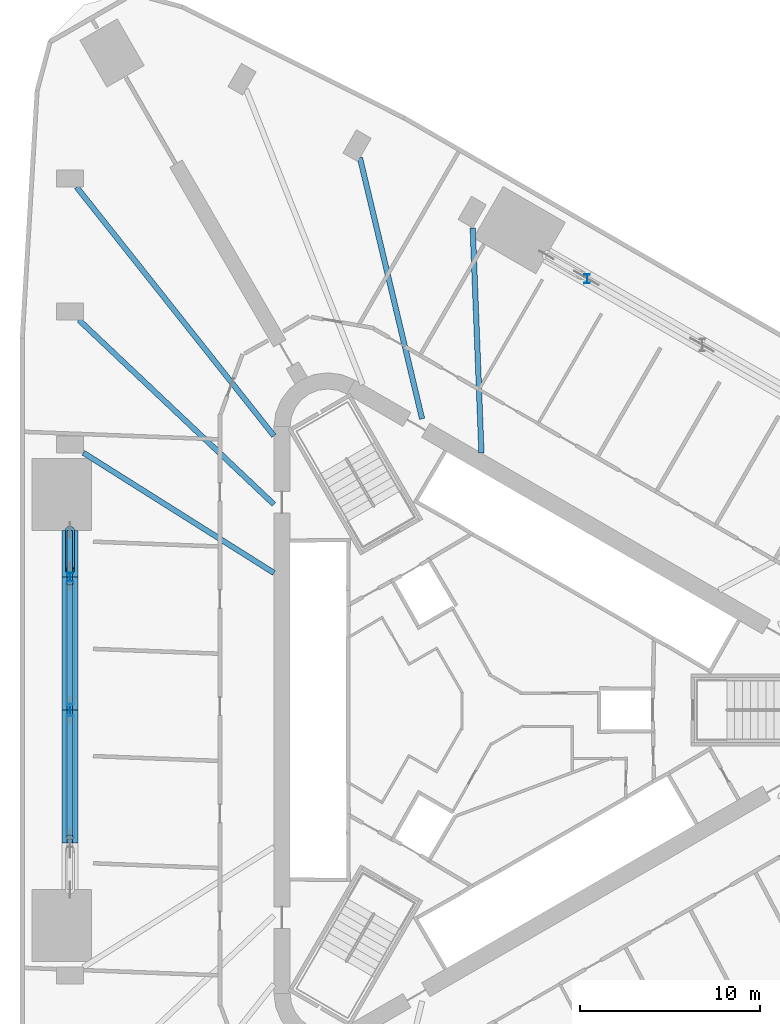
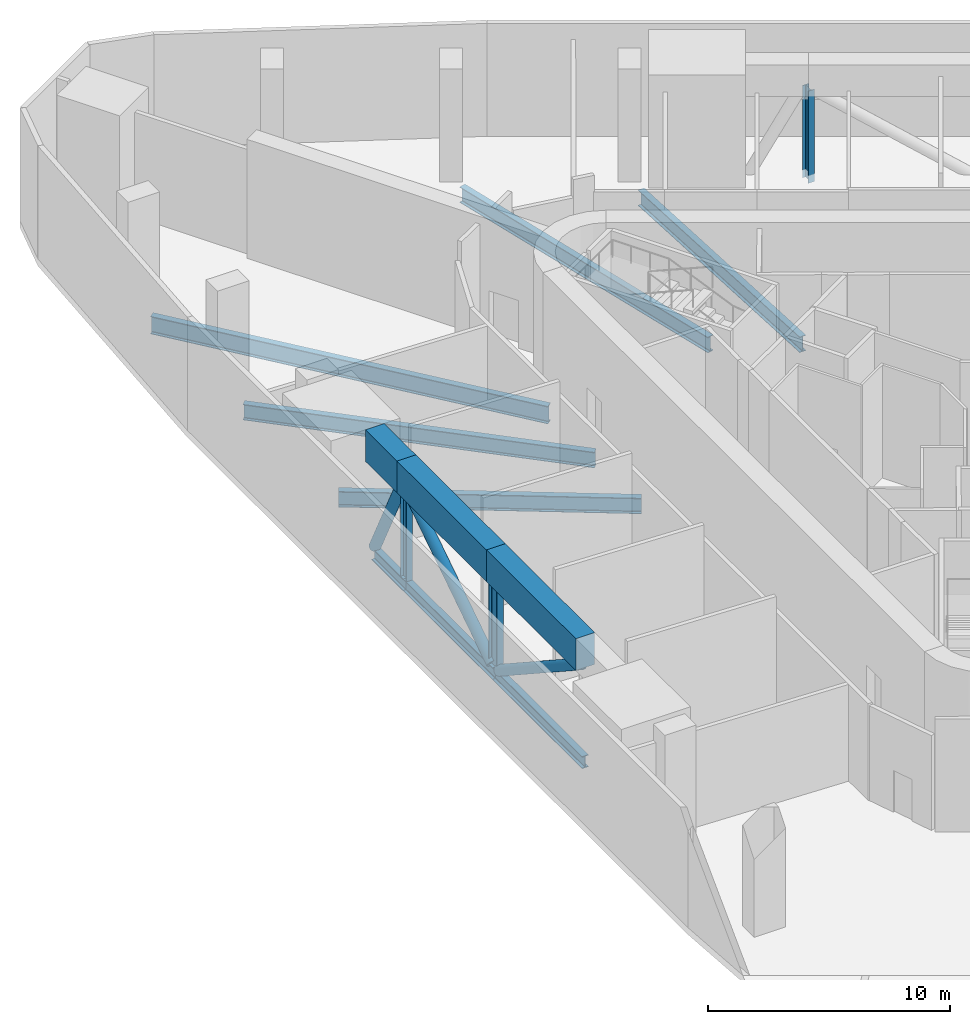
# One storey, part 3 of 14: 11 beams, 6 members.
"""IFC4 building model written with IfcOpenShell, lengths in metres."""

import ifcopenshell
import ifcopenshell.guid

model = None  # the IFC model being written
_history = None  # IfcOwnerHistory: only IFC2X3 demands one
_inside = {}  # id of a spatial element -> (the spatial element, [elements in it])
_under = {}  # id of a project, library or spatial element -> (it, [spatial elements below it])
_declared = {}  # id of a project -> (the project, [libraries it declares])
_typed = {}  # id of a type object -> (the type object, [elements of that type])
_made_of = {}  # id of a material, layer set ... -> (it, [elements and type objects made of it])


def new_model(schema):
    """Start an empty IFC model of exactly this schema.

    Asked for "IFC4X3", IfcOpenShell would pick the latest addendum, in which some entities
    have other attributes; the version numbers below select the first issue.
    IFC2X3 requires an IfcOwnerHistory on every rooted entity: one is made here for all.
    """
    global model, _history
    if schema == "IFC4X3":
        model = ifcopenshell.file(schema_version=(4, 3, 0, 0))
    else:
        model = ifcopenshell.file(schema=schema)
    _inside.clear()
    _under.clear()
    _declared.clear()
    _typed.clear()
    _made_of.clear()
    _history = None
    if model.schema == "IFC2X3":
        org = make("IfcOrganization", Name="unknown")
        user = make(
            "IfcPersonAndOrganization",
            ThePerson=make("IfcPerson", FamilyName="unknown"),
            TheOrganization=org,
        )
        app = make(
            "IfcApplication",
            ApplicationDeveloper=org,
            Version="unknown",
            ApplicationFullName="unknown",
            ApplicationIdentifier="unknown",
        )
        _history = make(
            "IfcOwnerHistory",
            OwningUser=user,
            OwningApplication=app,
            ChangeAction="ADDED",
            CreationDate=0,
        )
    return model


def make(cls, **values):
    """One entity of the class cls with the attributes given. An attribute that is None is left unset."""
    return model.create_entity(
        cls, **{name: value for name, value in values.items() if value is not None}
    )


def rooted(cls, **values):
    """An entity with a GlobalId (a new one), such as an element, a storey or a relation."""
    return make(cls, GlobalId=ifcopenshell.guid.new(), OwnerHistory=_history, **values)


def si_unit(unit_type, name, prefix=None):
    """IfcSIUnit, for example si_unit("LENGTHUNIT", "METRE", prefix="MILLI")."""
    return make("IfcSIUnit", UnitType=unit_type, Prefix=prefix, Name=name)


def assignment(units):
    """IfcUnitAssignment: the units of a project."""
    return None if units is None else make("IfcUnitAssignment", Units=units)


def point(xyz):
    """IfcCartesianPoint."""
    return None if xyz is None else make("IfcCartesianPoint", Coordinates=xyz)


def direction(xyz):
    """IfcDirection."""
    return None if xyz is None else make("IfcDirection", DirectionRatios=xyz)


def frame(location, z_axis=None, x_axis=None):
    """IfcAxis2Placement3D, a coordinate frame: its origin and axes. An axis left out is left unset."""
    return make(
        "IfcAxis2Placement3D",
        Location=point(location),
        Axis=direction(z_axis),
        RefDirection=direction(x_axis),
    )


def frame_2d(location, x_axis=None):
    """IfcAxis2Placement2D, a coordinate frame in the plane: its origin and x axis."""
    return make(
        "IfcAxis2Placement2D", Location=point(location), RefDirection=direction(x_axis)
    )


def origin():
    """The frame at (0, 0, 0) with its axes left unset."""
    return frame((0.0, 0.0, 0.0))


def origin_2d():
    """The frame at (0, 0) in the plane with its x axis left unset."""
    return frame_2d((0.0, 0.0))


def place(relative_to, where):
    """IfcLocalPlacement: puts the frame where relative to a parent placement (None: the world)."""
    return make(
        "IfcLocalPlacement", PlacementRelTo=relative_to, RelativePlacement=where
    )


def context(
    kind, dimensions, precision=None, world=None, true_north=None, identifier=None
):
    """IfcGeometricRepresentationContext, for example the 3D "Model" context."""
    return make(
        "IfcGeometricRepresentationContext",
        ContextIdentifier=identifier,
        ContextType=kind,
        CoordinateSpaceDimension=dimensions,
        Precision=precision,
        WorldCoordinateSystem=world,
        TrueNorth=true_north,
    )


def subcontext(parent, identifier, kind, view, scale=None):
    """IfcGeometricRepresentationSubContext, for example "Body" below "Model"."""
    return make(
        "IfcGeometricRepresentationSubContext",
        ContextIdentifier=identifier,
        ContextType=kind,
        ParentContext=parent,
        TargetScale=scale,
        TargetView=view,
    )


def project(units=None, contexts=None):
    """IfcProject with its units and contexts."""
    return rooted(
        "IfcProject",
        Name="project",
        RepresentationContexts=contexts,
        UnitsInContext=assignment(units),
    )


def spatial(cls, under=None, at=None, **own):
    """A site, building, storey or space (cls), placed at a placement, below another one or the project."""
    s = rooted(cls, ObjectPlacement=at, **own)
    if under is not None:
        _under.setdefault(under.id(), (under, []))[1].append(s)
    return s


def profile(cls, at=None, kind="AREA", **sizes):
    """A parametric profile (cls). Its sizes go by their IFC names, for example OverallWidth=200.0."""
    return make(cls, ProfileType=kind, Position=at, **sizes)


def rectangle(**sizes):
    """IfcRectangleProfileDef."""
    return profile("IfcRectangleProfileDef", **sizes)


def hollow_circle(**sizes):
    """IfcCircleHollowProfileDef."""
    return profile("IfcCircleHollowProfileDef", **sizes)


def i_section(**sizes):
    """IfcIShapeProfileDef."""
    return profile("IfcIShapeProfileDef", **sizes)


def extrude(swept, where, along, depth):
    """IfcExtrudedAreaSolid: the profile swept, set in the frame where, extruded along a direction by depth."""
    return make(
        "IfcExtrudedAreaSolid",
        SweptArea=swept,
        Position=where,
        ExtrudedDirection=direction(along),
        Depth=depth,
    )


def shape(context_of_items, identifier, shape_type, items):
    """IfcShapeRepresentation: the items that make up one representation, for example the "Body"."""
    return make(
        "IfcShapeRepresentation",
        ContextOfItems=context_of_items,
        RepresentationIdentifier=identifier,
        RepresentationType=shape_type,
        Items=items,
    )


def material(Name=None, Category=None):
    """IfcMaterial."""
    return make("IfcMaterial", Name=Name, Category=Category)


def material_profile(
    of_material, cross_section, Name=None, Category=None, Priority=None
):
    """IfcMaterialProfile: a cross section and its material."""
    return make(
        "IfcMaterialProfile",
        Name=Name,
        Material=of_material,
        Profile=cross_section,
        Priority=Priority,
        Category=Category,
    )


def profile_set(profiles, Name=None, composite=None):
    """IfcMaterialProfileSet."""
    return make(
        "IfcMaterialProfileSet",
        Name=Name,
        MaterialProfiles=profiles,
        CompositeProfile=composite,
    )


def made_of(thing, what):
    """Note that an element or type object is made of a material, layer set ...; save() writes the relation."""
    if what is not None:
        _made_of.setdefault(what.id(), (what, []))[1].append(thing)
    return thing


def type_object(cls, material=None, **own):
    """A type object (cls), such as IfcWallType, which elements share."""
    return made_of(rooted(cls, **own), material)


def element(
    cls,
    number,
    at=None,
    inside=None,
    cuts=None,
    type_object=None,
    material=None,
    context=None,
    identifier="Body",
    shape_type=None,
    held_by="IfcProductDefinitionShape",
    body=None,
    shapes=None,
    **own,
):
    """One element of the class cls, such as IfcWall. Its Tag is "e" and its number.

    at: its placement. inside: the storey or other place that contains it. cuts: it is an
    opening in that element (IfcRelVoidsElement). A single representation is given by context,
    identifier, shape_type and body (its items); several are given by shapes. held_by: the class
    of the entity that holds the representations. save() writes the other relations.
    """
    e = rooted(cls, Tag="e%d" % number, ObjectPlacement=at, **own)
    if body is not None:
        shapes = [shape(context, identifier, shape_type, body)]
    if shapes is not None:
        e.Representation = make(held_by, Representations=shapes)
    if inside is not None:
        _inside.setdefault(inside.id(), (inside, []))[1].append(e)
    if cuts is not None:
        rooted(
            "IfcRelVoidsElement", RelatingBuildingElement=cuts, RelatedOpeningElement=e
        )
    if type_object is not None:
        _typed.setdefault(type_object.id(), (type_object, []))[1].append(e)
    return made_of(e, material)


def aggregate(whole, parts):
    """IfcRelAggregates: a whole, such as a stair, and the parts it consists of."""
    return rooted("IfcRelAggregates", RelatingObject=whole, RelatedObjects=parts)


def save(model, path):
    """Write the relations noted so far, then the file.

    IfcRelAggregates (storeys below a building ...), IfcRelContainedInSpatialStructure (elements
    in a storey), IfcRelDefinesByType, IfcRelAssociatesMaterial and IfcRelDeclares: one each for
    every whole, place, type object, material and project.
    """
    for whole, parts in _under.values():
        aggregate(whole, parts)
    for where, things in _inside.values():
        rooted(
            "IfcRelContainedInSpatialStructure",
            RelatedElements=things,
            RelatingStructure=where,
        )
    for kind, things in _typed.values():
        rooted("IfcRelDefinesByType", RelatedObjects=things, RelatingType=kind)
    for what, things in _made_of.values():
        rooted("IfcRelAssociatesMaterial", RelatedObjects=things, RelatingMaterial=what)
    for by, libraries in _declared.values():
        rooted("IfcRelDeclares", RelatingContext=by, RelatedDefinitions=libraries)
    model.write(path)


model = new_model("IFC4")

# Units and contexts
model_context = context("Model", 3, precision=1e-05, world=origin(), true_north=direction((0.0, 1.0)))
body_context = subcontext(model_context, "Body", "Model", "MODEL_VIEW")
ifc_project = project(units=[si_unit("LENGTHUNIT", "METRE"), si_unit("AREAUNIT", "SQUARE_METRE"), si_unit("VOLUMEUNIT", "CUBIC_METRE"), si_unit("PLANEANGLEUNIT", "RADIAN"), si_unit("MASSUNIT", "GRAM", prefix="KILO")], contexts=[model_context])

# Site, building, storey
site_placement = place(None, origin())
site = spatial("IfcSite", under=ifc_project, at=site_placement, CompositionType="ELEMENT")
building_placement = place(site_placement, origin())
building = spatial("IfcBuilding", under=site, at=building_placement, Name="Tanit Gate Tower", CompositionType="ELEMENT")
storey_placement = place(building_placement, frame((0.0, 0.0, 39.5)))
storey = spatial("IfcBuildingStorey", under=building, at=storey_placement, Name="L06", CompositionType="ELEMENT", Elevation=39.5)

# Beams
ifc_material_1 = material(Name="Steel S355", Category="steel")
ifc_material_profile_1 = material_profile(ifc_material_1, i_section(OverallWidth=0.300048828125, OverallDepth=0.7900390625, WebThickness=0.014892578125, FlangeThickness=0.028076171875, FilletRadius=0.030029296875, at=origin_2d()), Name="HEA 800")
ifc_profile_set_1 = profile_set([ifc_material_profile_1], Name="Steel S355")
beam_type_1 = type_object("IfcBeamType", Name="RADIAL GIRDER HEA 800 S355", PredefinedType="BEAM", material=ifc_profile_set_1)
beam_1_placement = place(storey_placement, frame((-1.041259765625, 26.81689453125, -0.7451171875), z_axis=(0.038788513733, -0.99924744243, 0.0), x_axis=(0.99924744243, 0.038788513733, 0.0)))
element("IfcBeam", 1, at=beam_1_placement, inside=storey, type_object=beam_type_1, Name="RADIAL GIRDER", PredefinedType="BEAM", context=body_context, shape_type="SweptSolid", body=[
    extrude(i_section(OverallWidth=0.300048828125, OverallDepth=0.7900390625, WebThickness=0.014892578125, FlangeThickness=0.028076171875, FilletRadius=0.030029296875, at=origin_2d()), origin(), (0.0, 0.0, 1.0), 12.53173828125),
])
beam_2_placement = place(storey_placement, frame((-7.316650390625, 30.725830078125, -0.7451171875), z_axis=(0.231658845557, -0.972797090495, 0.0), x_axis=(0.972797090495, 0.231658845557, 0.0)))
element("IfcBeam", 2, at=beam_2_placement, inside=storey, type_object=beam_type_1, Name="RADIAL GIRDER", PredefinedType="BEAM", context=body_context, shape_type="SweptSolid", body=[
    extrude(i_section(OverallWidth=0.300048828125, OverallDepth=0.7900390625, WebThickness=0.014892578125, FlangeThickness=0.028076171875, FilletRadius=0.030029296875, at=origin_2d()), origin(), (0.0, 0.0, 1.0), 14.930419921875),
])
beam_3_placement = place(storey_placement, frame((-22.950927734375, 21.69921875, -0.7451171875), z_axis=(0.726639827007, -0.687018603683, 0.0), x_axis=(0.687018603683, 0.726639827007, 0.0)))
element("IfcBeam", 3, at=beam_3_placement, inside=storey, type_object=beam_type_1, Name="RADIAL GIRDER", PredefinedType="BEAM", context=body_context, shape_type="SweptSolid", body=[
    extrude(i_section(OverallWidth=0.300048828125, OverallDepth=0.7900390625, WebThickness=0.014892578125, FlangeThickness=0.028076171875, FilletRadius=0.030029296875, at=origin_2d()), origin(), (0.0, 0.0, 1.0), 14.93017578125),
])
beam_4_placement = place(storey_placement, frame((-22.703369140625, 14.310302734375, -0.7451171875), z_axis=(0.845964004255, -0.533240005537, 0.0), x_axis=(0.533240005537, 0.845964004255, 0.0)))
element("IfcBeam", 4, at=beam_4_placement, inside=storey, type_object=beam_type_1, Name="RADIAL GIRDER", PredefinedType="BEAM", context=body_context, shape_type="SweptSolid", body=[
    extrude(i_section(OverallWidth=0.300048828125, OverallDepth=0.7900390625, WebThickness=0.014892578125, FlangeThickness=0.028076171875, FilletRadius=0.030029296875, at=origin_2d()), origin(), (0.0, 0.0, 1.0), 12.53173828125),
])
ifc_material_2 = material(Name="Steel S355", Category="steel")
ifc_material_profile_2 = material_profile(ifc_material_2, i_section(OverallWidth=0.300048828125, OverallDepth=0.889892578125, WebThickness=0.01611328125, FlangeThickness=0.030029296875, FilletRadius=0.030029296875, at=origin_2d()), Name="HEA 900")
ifc_profile_set_2 = profile_set([ifc_material_profile_2], Name="Steel S355")
beam_type_2 = type_object("IfcBeamType", Name="RADIAL GIRDER HEA 900 S355", PredefinedType="BEAM", material=ifc_profile_set_2)
beam_5_placement = place(storey_placement, frame((-23.07666015625, 29.0908203125, -0.794921875), z_axis=(0.621472845829, -0.783435703742, 0.0), x_axis=(0.783435703742, 0.621472845829, 0.0)))
element("IfcBeam", 5, at=beam_5_placement, inside=storey, type_object=beam_type_2, Name="RADIAL GIRDER", PredefinedType="BEAM", context=body_context, shape_type="SweptSolid", body=[
    extrude(i_section(OverallWidth=0.300048828125, OverallDepth=0.889892578125, WebThickness=0.01611328125, FlangeThickness=0.030029296875, FilletRadius=0.030029296875, at=origin_2d()), origin(), (0.0, 0.0, 1.0), 17.658935546875),
])
ifc_material_3 = material(Name="Concrete C60/75", Category="concrete")
ifc_material_profile_3 = material_profile(ifc_material_3, rectangle(XDim=0.89990234375, YDim=1.60009765625, at=origin_2d()), Name="RC 900x1600")
ifc_profile_set_3 = profile_set([ifc_material_profile_3], Name="Concrete C60/75")
beam_type_3 = type_object("IfcBeamType", Name="TRANSFER GIRDER 900x1600 C60/75", PredefinedType="USERDEFINED", material=ifc_profile_set_3)
beam_6_placement = place(storey_placement, frame((-23.453369140625, 10.0, 4.89990234375), z_axis=(0.0, -1.0, 0.0), x_axis=(1.0, 0.0, 0.0)))
element("IfcBeam", 6, at=beam_6_placement, inside=storey, type_object=beam_type_3, Name="TRANSFER TRUSS TOP CHORD", ObjectType="GIRDER", PredefinedType="USERDEFINED", context=body_context, shape_type="SweptSolid", body=[
    extrude(rectangle(XDim=0.89990234375, YDim=1.60009765625, at=origin_2d()), origin(), (0.0, 0.0, 1.0), 2.608642578125),
])
for number, where, z_axis, x_axis, name in (
    (7, (-23.453369140625, 7.391357421875, 4.89990234375), (0.0, -1.0, 0.0), (1.0, 0.0, 0.0), "TRANSFER TRUSS TOP CHORD"),
    (8, (-23.453369140625, 0.0, 4.89990234375), (0.0, -1.0, 0.0), (1.0, 0.0, 0.0), "TRANSFER TRUSS TOP CHORD"),
):
    element("IfcBeam", number, at=place(storey_placement, frame(where, z_axis=z_axis, x_axis=x_axis)), inside=storey, type_object=beam_type_3, Name=name, ObjectType="GIRDER", PredefinedType="USERDEFINED", context=body_context, shape_type="SweptSolid", body=[
        extrude(rectangle(XDim=0.89990234375, YDim=1.60009765625, at=origin_2d()), origin(), (0.0, 0.0, 1.0), 7.391357421875),
    ])
ifc_material_4 = material(Name="Steel S460", Category="steel")
ifc_material_profile_4 = material_profile(ifc_material_4, i_section(OverallWidth=0.304931640625, OverallDepth=0.6201171875, WebThickness=0.02099609375, FlangeThickness=0.0400390625, FilletRadius=0.027099609375, at=origin_2d()), Name="HEM 600")
ifc_profile_set_4 = profile_set([ifc_material_profile_4], Name="Steel S460")
beam_type_4 = type_object("IfcBeamType", Name="TRANSFER TRUSS CHORD HEM 600 S460", PredefinedType="BEAM", material=ifc_profile_set_4)
beam_7_placement = place(storey_placement, frame((-23.453369140625, 10.0, -0.659912109375), z_axis=(0.0, -1.0, 0.0), x_axis=(1.0, 0.0, 0.0)))
element("IfcBeam", 9, at=beam_7_placement, inside=storey, type_object=beam_type_4, Name="TRANSFER TRUSS BOTTOM CHORD", PredefinedType="BEAM", context=body_context, shape_type="SweptSolid", body=[
    extrude(i_section(OverallWidth=0.304931640625, OverallDepth=0.6201171875, WebThickness=0.02099609375, FlangeThickness=0.0400390625, FilletRadius=0.027099609375, at=origin_2d()), origin(), (0.0, 0.0, 1.0), 2.608642578125),
])
for number, where, z_axis, x_axis, name in (
    (10, (-23.453369140625, 7.391357421875, -0.659912109375), (0.0, -1.0, 0.0), (1.0, 0.0, 0.0), "TRANSFER TRUSS BOTTOM CHORD"),
    (11, (-23.453369140625, 0.0, -0.659912109375), (0.0, -1.0, 0.0), (1.0, 0.0, 0.0), "TRANSFER TRUSS BOTTOM CHORD"),
):
    element("IfcBeam", number, at=place(storey_placement, frame(where, z_axis=z_axis, x_axis=x_axis)), inside=storey, type_object=beam_type_4, Name=name, PredefinedType="BEAM", context=body_context, shape_type="SweptSolid", body=[
        extrude(i_section(OverallWidth=0.304931640625, OverallDepth=0.6201171875, WebThickness=0.02099609375, FlangeThickness=0.0400390625, FilletRadius=0.027099609375, at=origin_2d()), origin(), (0.0, 0.0, 1.0), 7.391357421875),
    ])

# Members
ifc_material_5 = material(Name="Steel S460", Category="steel")
ifc_material_profile_5 = material_profile(ifc_material_5, hollow_circle(Radius=0.25390625, WallThickness=0.02490234375, at=origin_2d()), Name="CHS 508x25")
ifc_profile_set_5 = profile_set([ifc_material_profile_5], Name="Steel S460")
member_type_1 = type_object("IfcMemberType", Name="TRANSFER TRUSS DIAGONAL CHS 508x25 S460", PredefinedType="BRACE", material=ifc_profile_set_5)
member_1_placement = place(storey_placement, frame((-23.453369140625, 10.0, -0.35009765625), z_axis=(0.0, -0.447919768441, 0.894073755928), x_axis=(1.0, 0.0, 0.0)))
element("IfcMember", 12, at=member_1_placement, inside=storey, type_object=member_type_1, Name="TRANSFER TRUSS DIAGONAL", PredefinedType="BRACE", context=body_context, shape_type="SweptSolid", body=[
    extrude(hollow_circle(Radius=0.25390625, WallThickness=0.02490234375, at=origin_2d()), origin(), (0.0, 0.0, 1.0), 4.9775390625),
])
for number, where, z_axis, x_axis, name in (
    (13, (-23.453369140625, 7.100341796875, 4.10009765625), (0.0, -0.83708538533, -0.547072260005), (1.0, 0.0, 0.0), "TRANSFER TRUSS DIAGONAL"),
    (14, (-23.453369140625, -0.291015625, -0.35009765625), (0.0, -0.83708538533, 0.547072260005), (1.0, 0.0, 0.0), "TRANSFER TRUSS DIAGONAL"),
):
    element("IfcMember", number, at=place(storey_placement, frame(where, z_axis=z_axis, x_axis=x_axis)), inside=storey, type_object=member_type_1, Name=name, PredefinedType="BRACE", context=body_context, shape_type="SweptSolid", body=[
        extrude(hollow_circle(Radius=0.25390625, WallThickness=0.02490234375, at=origin_2d()), origin(), (0.0, 0.0, 1.0), 8.134521484375),
    ])
ifc_material_6 = material(Name="Steel S460", Category="steel")
ifc_material_profile_6 = material_profile(ifc_material_6, i_section(OverallWidth=0.300048828125, OverallDepth=0.5, WebThickness=0.014404296875, FlangeThickness=0.028076171875, FilletRadius=0.027099609375, at=origin_2d()), Name="HEB 500")
ifc_profile_set_6 = profile_set([ifc_material_profile_6], Name="Steel S460")
member_type_2 = type_object("IfcMemberType", Name="TRANSFER TRUSS POST HEB 500 S460", PredefinedType="POST", material=ifc_profile_set_6)
for number, where, z_axis, x_axis, name in (
    (15, (-23.453369140625, 7.391357421875, -0.39990234375), (0.0, 0.0, 1.0), (1.0, 0.0, 0.0), "TRANSFER TRUSS POST"),
    (16, (5.325439453125, 24.007080078125, -0.39990234375), (0.0, 0.0, 1.0), (1.0, 0.0, 0.0), "TRANSFER TRUSS POST"),
):
    element("IfcMember", number, at=place(storey_placement, frame(where, z_axis=z_axis, x_axis=x_axis)), inside=storey, type_object=member_type_2, Name=name, PredefinedType="POST", context=body_context, shape_type="SweptSolid", body=[
        extrude(i_section(OverallWidth=0.300048828125, OverallDepth=0.5, WebThickness=0.014404296875, FlangeThickness=0.028076171875, FilletRadius=0.027099609375, at=origin_2d()), origin(), (0.0, 0.0, 1.0), 4.64990234375),
    ])
ifc_material_7 = material(Name="Steel S460", Category="steel")
ifc_material_profile_7 = material_profile(ifc_material_7, i_section(OverallWidth=0.300048828125, OverallDepth=0.699951171875, WebThickness=0.01708984375, FlangeThickness=0.031982421875, FilletRadius=0.027099609375, at=origin_2d()), Name="HEB 700")
ifc_profile_set_7 = profile_set([ifc_material_profile_7], Name="Steel S460")
member_type_3 = type_object("IfcMemberType", Name="TRANSFER TRUSS POST HEB 700 S460", PredefinedType="POST", material=ifc_profile_set_7)
member_2_placement = place(storey_placement, frame((-23.453369140625, 0.0, -0.39990234375), z_axis=(0.0, 0.0, 1.0), x_axis=(1.0, 0.0, 0.0)))
element("IfcMember", 17, at=member_2_placement, inside=storey, type_object=member_type_3, Name="TRANSFER TRUSS POST", PredefinedType="POST", context=body_context, shape_type="SweptSolid", body=[
    extrude(i_section(OverallWidth=0.300048828125, OverallDepth=0.699951171875, WebThickness=0.01708984375, FlangeThickness=0.031982421875, FilletRadius=0.027099609375, at=origin_2d()), origin(), (0.0, 0.0, 1.0), 4.64990234375),
])

save(model, "model.ifc")
